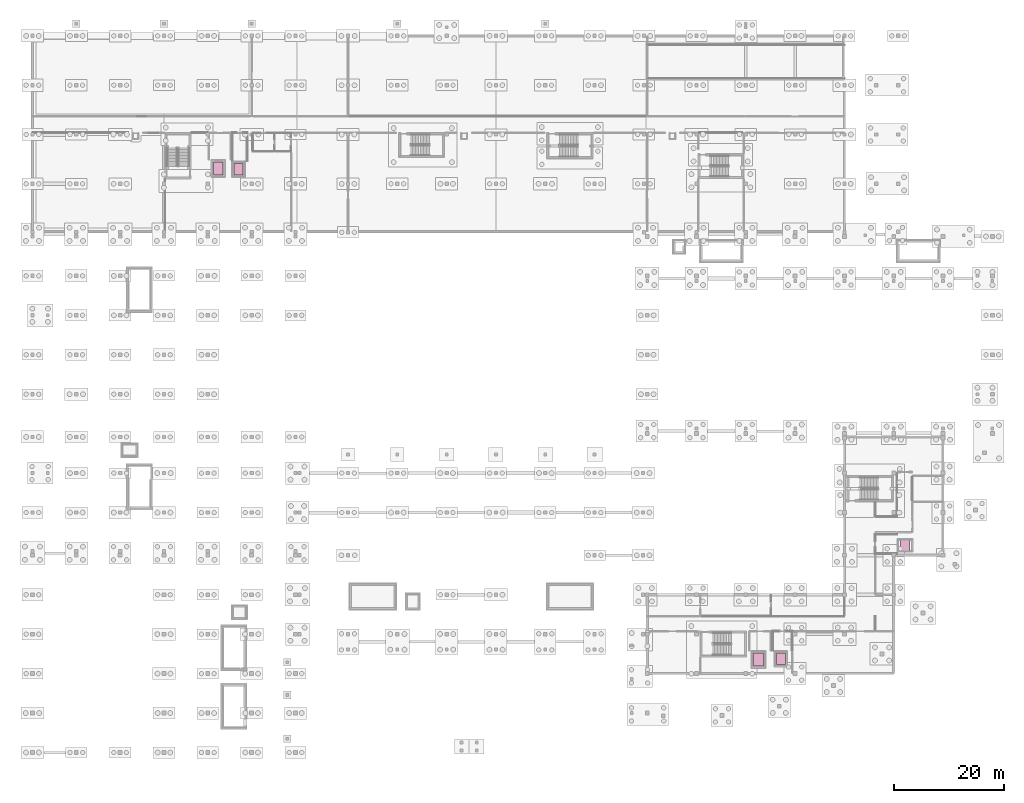
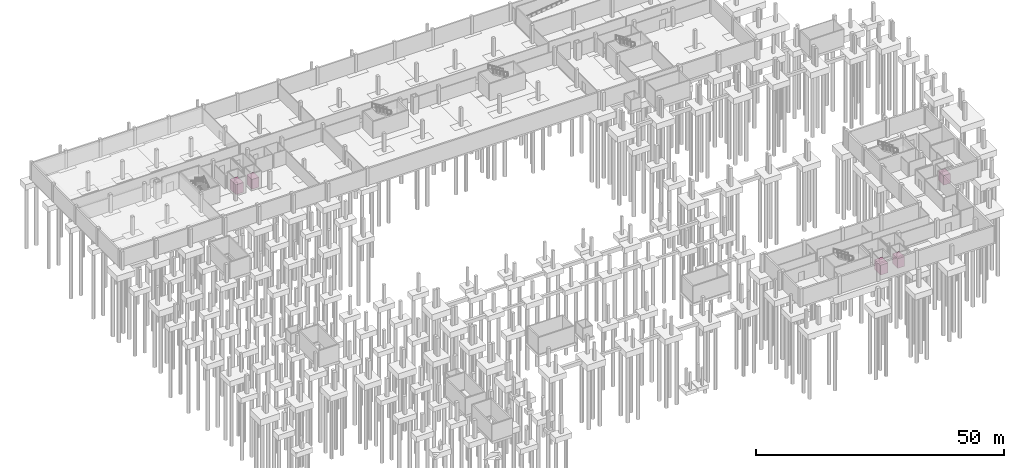
# One storey, part 36 of 36: 5 transport elements.
"""IFC4 building model written with IfcOpenShell, lengths in metres."""

from ifc_helpers import new_model, si_unit, direction, frame, origin, origin_2d, place, context, subcontext, project, spatial, rectangle, extrude, material, type_object, element, save


model = new_model("IFC4")

# Units and contexts
model_context = context("Model", 3, precision=1e-05, world=origin(), true_north=direction((0.0, 1.0)))
body_context = subcontext(model_context, "Body", "Model", "MODEL_VIEW")
ifc_project = project(units=[si_unit("LENGTHUNIT", "METRE"), si_unit("AREAUNIT", "SQUARE_METRE"), si_unit("VOLUMEUNIT", "CUBIC_METRE"), si_unit("PLANEANGLEUNIT", "RADIAN"), si_unit("MASSUNIT", "GRAM", prefix="KILO")], contexts=[model_context])

# Site, building, storey
site_placement = place(None, origin())
site = spatial("IfcSite", under=ifc_project, at=site_placement, CompositionType="ELEMENT")
building_placement = place(site_placement, origin())
building = spatial("IfcBuilding", under=site, at=building_placement, Name="Chiffa Square Polytechnic", CompositionType="ELEMENT")
storey_placement = place(building_placement, frame((0.0, 0.0, -4.5)))
storey = spatial("IfcBuildingStorey", under=building, at=storey_placement, Name="B1", CompositionType="ELEMENT", Elevation=-4.5)

# Transport elements
ifc_material = material(Name="Stainless steel", Category="steel")
transport_element_type_1 = type_object("IfcTransportElementType", Name="LIFT-FF-1600", PredefinedType="ELEVATOR", material=ifc_material)
for number, where, z_axis, x_axis, name in (
    (1, (132.5, 16.949951171875, 0.0), (0.0, 0.0, 1.0), (1.0, 0.0, 0.0), "Lift LF-V1"),
    (2, (33.89990234375, 106.60009765625, 0.0), (0.0, 0.0, 1.0), (1.0, 0.0, 0.0), "Lift LF-V5"),
):
    element("IfcTransportElement", number, at=place(storey_placement, frame(where, z_axis=z_axis, x_axis=x_axis)), inside=storey, type_object=transport_element_type_1, Name=name, PredefinedType="ELEVATOR", context=body_context, shape_type="SweptSolid", body=[
        extrude(rectangle(XDim=1.800048828125, YDim=2.39990234375, at=origin_2d()), origin(), (0.0, 0.0, 1.0), 2.39990234375),
    ])
transport_element_type_2 = type_object("IfcTransportElementType", Name="LIFT-PAX-1275", PredefinedType="ELEVATOR", material=ifc_material)
for number, where, z_axis, x_axis, name in (
    (3, (136.60009765625, 17.10009765625, 0.0), (0.0, 0.0, 1.0), (1.0, 0.0, 0.0), "Lift LP-V1A"),
    (4, (159.25, 37.800048828125, 0.0), (0.0, 0.0, 1.0), (1.0, 0.0, 0.0), "Lift LP-V1B"),
    (5, (37.60009765625, 106.449951171875, 0.0), (0.0, 0.0, 1.0), (1.0, 0.0, 0.0), "Lift LP-V5A"),
):
    element("IfcTransportElement", number, at=place(storey_placement, frame(where, z_axis=z_axis, x_axis=x_axis)), inside=storey, type_object=transport_element_type_2, Name=name, PredefinedType="ELEVATOR", context=body_context, shape_type="SweptSolid", body=[
        extrude(rectangle(XDim=1.60009765625, YDim=2.10009765625, at=origin_2d()), origin(), (0.0, 0.0, 1.0), 2.39990234375),
    ])

save(model, "model.ifc")
